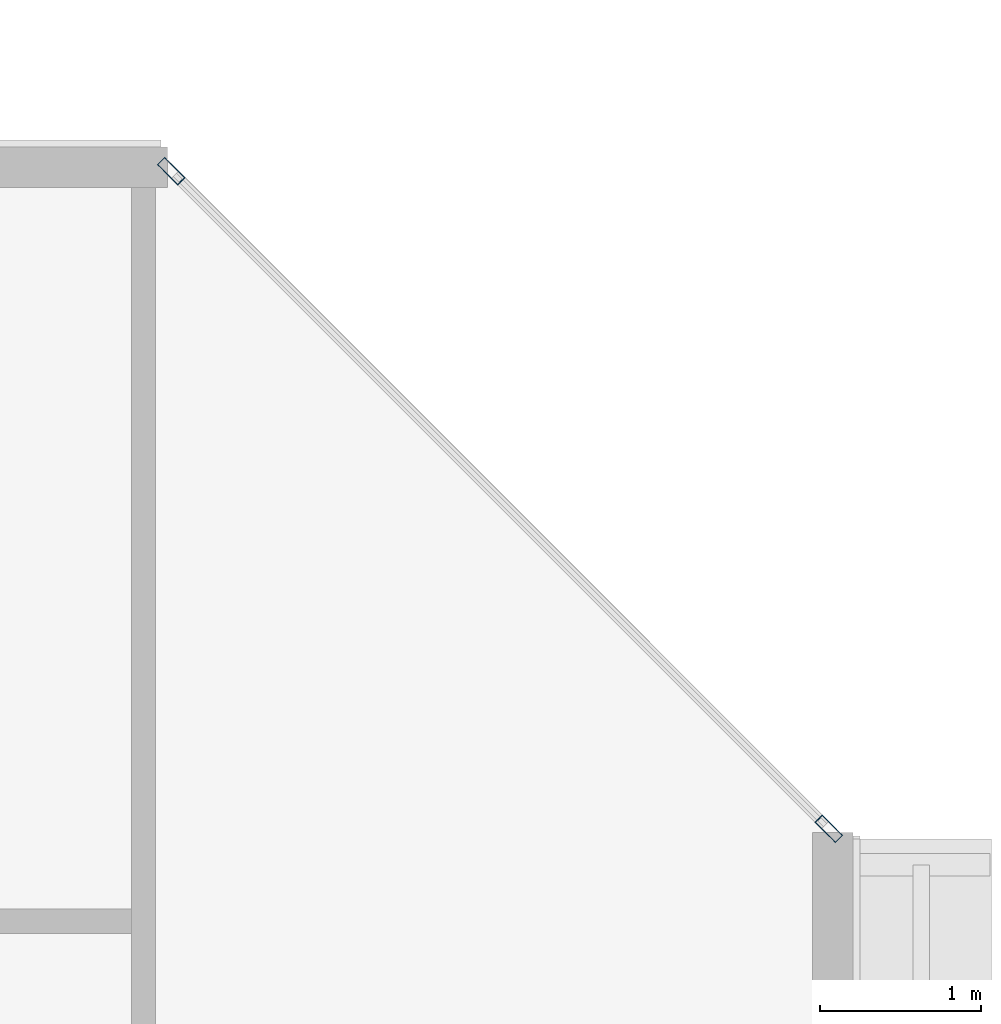
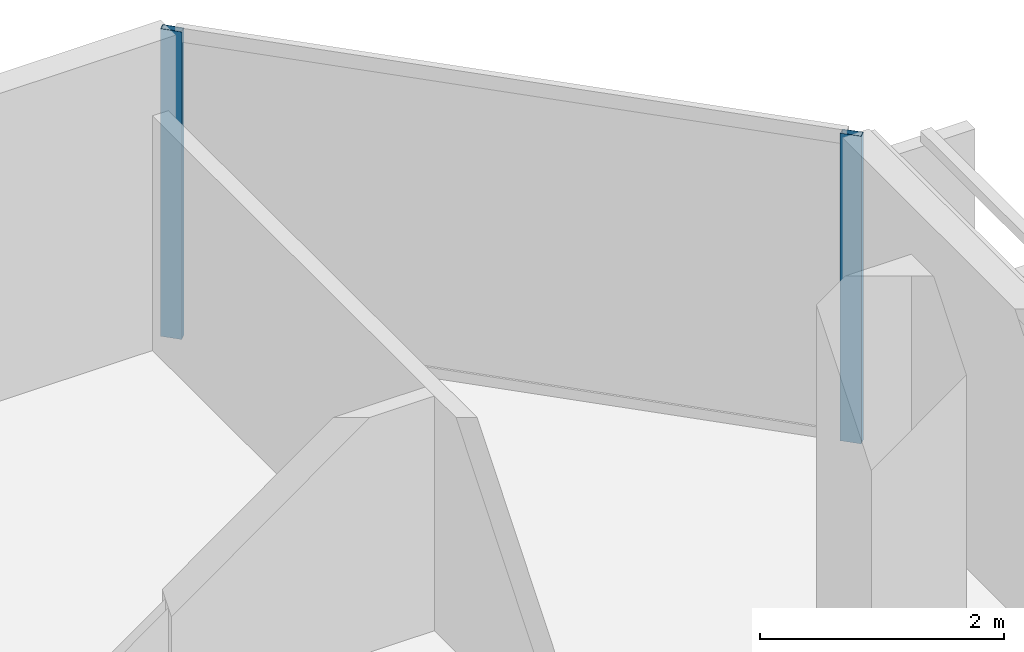
# One storey, part 17 of 29: 2 members, 1 element without a shape of its own.
"""IFC4 building model written with IfcOpenShell, lengths in metres."""

from ifc_helpers import new_model, si_unit, direction, frame, origin, origin_2d, place, context, subcontext, project, spatial, hollow_rectangle, extrude, material, layer, layer_set, material_profile, profile_set, type_object, element, aggregate, save


model = new_model("IFC4")

# Units and contexts
model_context = context("Model", 3, precision=1e-05, world=origin(), true_north=direction((0.0, 1.0)))
body_context = subcontext(model_context, "Body", "Model", "MODEL_VIEW")
ifc_project = project(units=[si_unit("LENGTHUNIT", "METRE"), si_unit("AREAUNIT", "SQUARE_METRE"), si_unit("VOLUMEUNIT", "CUBIC_METRE"), si_unit("PLANEANGLEUNIT", "RADIAN"), si_unit("MASSUNIT", "GRAM", prefix="KILO")], contexts=[model_context])

# Site, building, storey
site_placement = place(None, origin())
site = spatial("IfcSite", under=ifc_project, at=site_placement, CompositionType="ELEMENT")
building_placement = place(site_placement, origin())
building = spatial("IfcBuilding", under=site, at=building_placement, Name="Tanjung Sevakor Pilgrim Tower", CompositionType="ELEMENT")
storey_placement = place(building_placement, frame((0.0, 0.0, 148.5)))
storey = spatial("IfcBuildingStorey", under=building, at=storey_placement, Name="L41", CompositionType="ELEMENT", Elevation=148.5)

# Curtain wall, members
ifc_material_1 = material(Name="Aluminium 6063-T6 and Low-E Glass", Category="aluminium")
ifc_layer = layer(ifc_material_1, 0.179931640625)
ifc_layer_set = layer_set([ifc_layer], Name="CW-SYS-CHAM")
curtain_wall_type = type_object("IfcCurtainWallType", Name="CW-SYS-CHAM", PredefinedType="NOTDEFINED", material=ifc_layer_set)
curtain_wall_placement = place(storey_placement, origin())
curtain_wall = element("IfcCurtainWall", 1, at=curtain_wall_placement, inside=storey, type_object=curtain_wall_type, Name="L41 Curtain Wall CW-CHM-L41-MAIN-7", PredefinedType="NOTDEFINED")
ifc_material_2 = material(Name="Aluminium 6063-T6", Category="aluminium")
ifc_material_profile = material_profile(ifc_material_2, hollow_rectangle(XDim=0.06494140625, YDim=0.179931640625, WallThickness=0.00390625, at=origin_2d()))
ifc_profile_set = profile_set([ifc_material_profile], Name="Aluminium 6063-T6")
member_type = type_object("IfcMemberType", Name="TYPE-CWM-1", PredefinedType="MULLION", material=ifc_profile_set)
member_1_placement = place(storey_placement, frame((99.85205078125, 51.0712890625, 0.0), z_axis=(0.0, 0.0, 1.0), x_axis=(-0.707106781187, -0.707106781187, 0.0)))
member_1 = element("IfcMember", 2, at=member_1_placement, type_object=member_type, Name="CW-CHM mullion 1", PredefinedType="MULLION", context=body_context, shape_type="SweptSolid", body=[
    extrude(hollow_rectangle(XDim=0.06494140625, YDim=0.179931640625, WallThickness=0.00390625, at=origin_2d()), origin(), (0.0, 0.0, 1.0), 3.080078125),
])
member_2_placement = place(storey_placement, frame((95.771240234375, 55.152099609375, 0.0), z_axis=(0.0, 0.0, 1.0), x_axis=(-0.707106781187, -0.707106781187, 0.0)))
member_2 = element("IfcMember", 3, at=member_2_placement, type_object=member_type, Name="CW-CHM mullion 2", PredefinedType="MULLION", context=body_context, shape_type="SweptSolid", body=[
    extrude(hollow_rectangle(XDim=0.06494140625, YDim=0.179931640625, WallThickness=0.00390625, at=origin_2d()), origin(), (0.0, 0.0, 1.0), 3.080078125),
])
aggregate(curtain_wall, [member_1, member_2])

save(model, "model.ifc")
